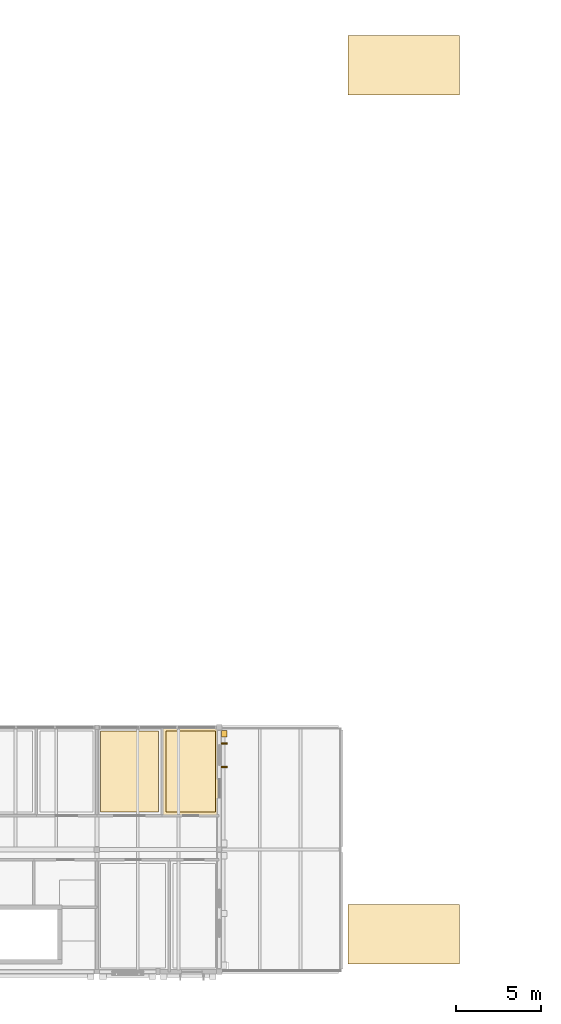
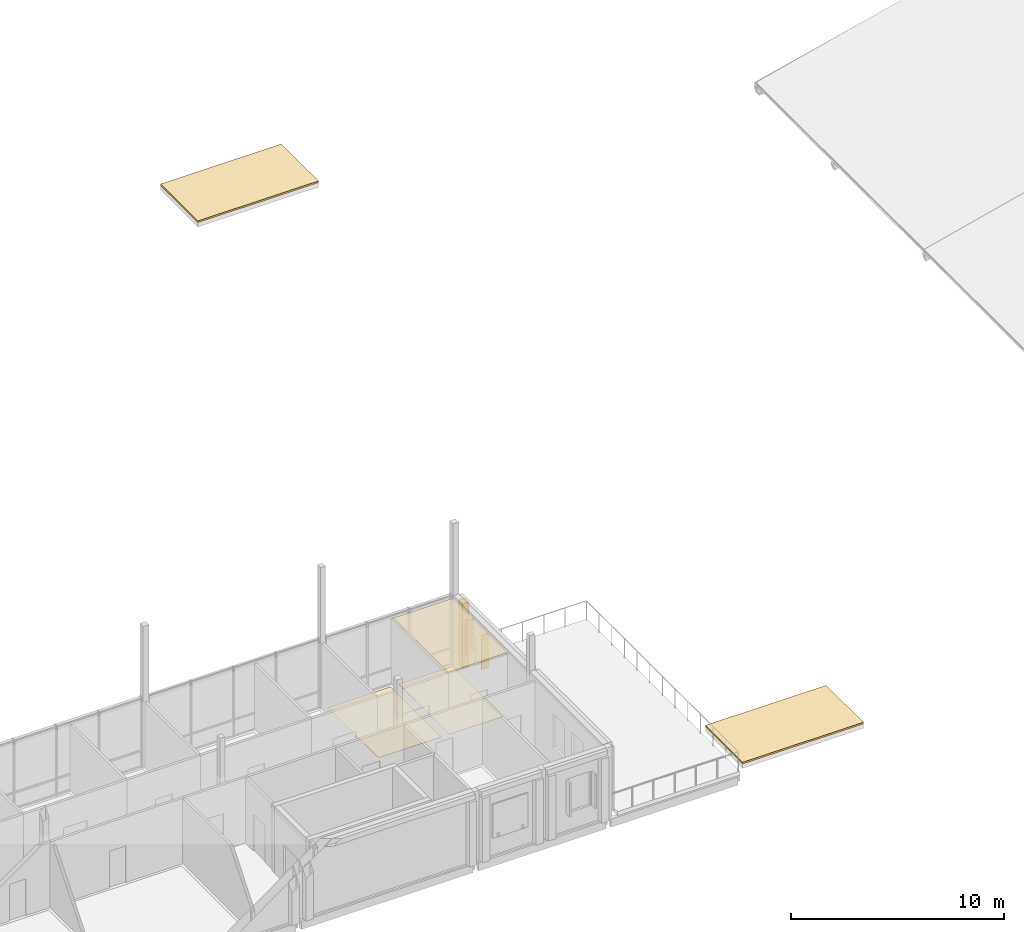
# One storey, part 56 of 57: 6 coverings, 2 shading devices.
"""IFC4 building model written with IfcOpenShell, lengths in metres."""

from ifc_helpers import new_model, si_unit, direction, frame, origin, origin_2d, place, context, subcontext, project, spatial, polyline, rectangle, outline, extrude, material, layer, layer_set, type_object, element, save


model = new_model("IFC4")

# Units and contexts
model_context = context("Model", 3, precision=1e-05, world=origin(), true_north=direction((0.0, 1.0)))
body_context = subcontext(model_context, "Body", "Model", "MODEL_VIEW")
ifc_project = project(units=[si_unit("LENGTHUNIT", "METRE"), si_unit("AREAUNIT", "SQUARE_METRE"), si_unit("VOLUMEUNIT", "CUBIC_METRE"), si_unit("PLANEANGLEUNIT", "RADIAN"), si_unit("MASSUNIT", "GRAM", prefix="KILO")], contexts=[model_context])

# Site, building, storey
site_placement = place(None, origin())
site = spatial("IfcSite", under=ifc_project, at=site_placement, CompositionType="ELEMENT")
building_placement = place(site_placement, origin())
building = spatial("IfcBuilding", under=site, at=building_placement, Name="Hawrajan Terrace Health Centre", CompositionType="ELEMENT")
storey_placement = place(building_placement, frame((0.0, 0.0, 13.199951171875)))
storey = spatial("IfcBuildingStorey", under=building, at=storey_placement, Name="L03", CompositionType="ELEMENT", Elevation=13.199951171875)

# Coverings
ifc_material_1 = material(Name="Precast concrete C40/50", Category="concrete")
ifc_layer_1 = layer(ifc_material_1, 0.340087890625)
ifc_layer_set_1 = layer_set([ifc_layer_1], Name="Precast concrete C40/50")
covering_type_1 = type_object("IfcCoveringType", Name="ArtDecoStonePilaster", PredefinedType="CLADDING", material=ifc_layer_set_1)
covering_1_placement = place(storey_placement, frame((108.094970703125, 18.219970703125, 0.0), z_axis=(0.0, 0.0, 1.0), x_axis=(0.0, 1.0, 0.0)))
element("IfcCovering", 1, at=covering_1_placement, inside=storey, type_object=covering_type_1, Name="Art Deco fluted limestone pilaster FPIL-L03-0378", PredefinedType="CLADDING", context=body_context, shape_type="SweptSolid", body=[
    extrude(rectangle(XDim=0.39990234375, YDim=0.340087890625, at=origin_2d()), origin(), (0.0, 0.0, 1.0), 3.679931640625),
])
ifc_material_2 = material(Name="Hygienic mineral-fibre acoustic tile ceiling")
ifc_layer_2 = layer(ifc_material_2, 0.02490234375)
ifc_layer_set_2 = layer_set([ifc_layer_2], Name="Hygienic mineral-fibre acoustic tile ceiling")
covering_type_2 = type_object("IfcCoveringType", Name="ClinicalAcousticCeiling_25", PredefinedType="CEILING", material=ifc_layer_set_2)
covering_2_placement = place(storey_placement, frame((0.0, 0.0, 3.72509765625)))
element("IfcCovering", 2, at=covering_2_placement, inside=storey, type_object=covering_type_2, Name="Suspended ceiling L03-075", PredefinedType="CEILING", context=body_context, shape_type="SweptSolid", body=[
    extrude(outline(polyline([(104.46484375, 18.580078125), (107.780029296875, 18.580078125), (107.780029296875, 13.419921875), (104.46484375, 13.419921875), (104.46484375, 18.580078125)])), origin(), (0.0, 0.0, 1.0), 0.02490234375),
])
ifc_material_3 = material(Name="Seamless medical-grade cushioned vinyl flooring")
ifc_layer_3 = layer(ifc_material_3, 0.011962890625)
ifc_layer_set_3 = layer_set([ifc_layer_3], Name="Seamless medical-grade cushioned vinyl flooring")
covering_type_3 = type_object("IfcCoveringType", Name="ClinicalVinylFlooring_12", PredefinedType="FLOORING", material=ifc_layer_set_3)
covering_3_placement = place(storey_placement, origin())
element("IfcCovering", 3, at=covering_3_placement, inside=storey, type_object=covering_type_3, Name="Floor finish L03-074", PredefinedType="FLOORING", context=body_context, shape_type="SweptSolid", body=[
    extrude(outline(polyline([(100.820068359375, 18.3798828125), (104.224853515625, 18.3798828125), (104.224853515625, 13.6201171875), (100.820068359375, 13.6201171875), (100.820068359375, 18.3798828125)])), origin(), (0.0, 0.0, 1.0), 0.011962890625),
])
covering_4_placement = place(storey_placement, origin())
element("IfcCovering", 4, at=covering_4_placement, inside=storey, type_object=covering_type_3, Name="Floor finish L03-075", PredefinedType="FLOORING", context=body_context, shape_type="SweptSolid", body=[
    extrude(outline(polyline([(104.664794921875, 18.3798828125), (107.580078125, 18.3798828125), (107.580078125, 13.6201171875), (104.664794921875, 13.6201171875), (104.664794921875, 18.3798828125)])), origin(), (0.0, 0.0, 1.0), 0.011962890625),
])
ifc_material_4 = material(Name="Reflective TPO cool-roof membrane and mineral wool")
ifc_layer_4 = layer(ifc_material_4, 0.094970703125)
ifc_layer_set_4 = layer_set([ifc_layer_4], Name="Reflective TPO cool-roof membrane and mineral wool")
covering_type_4 = type_object("IfcCoveringType", Name="CoolMembrane_Roofing", PredefinedType="ROOFING", material=ifc_layer_set_4)
covering_5_placement = place(storey_placement, origin())
element("IfcCovering", 5, at=covering_5_placement, inside=storey, type_object=covering_type_4, Name="Reflective cool-roof membrane RF-S6-CAP", PredefinedType="ROOFING", context=body_context, shape_type="SweptSolid", body=[
    extrude(outline(polyline([(115.39990234375, 4.64990234375), (121.949951171875, 4.64990234375), (121.949951171875, 8.14990234375), (115.39990234375, 8.14990234375), (115.39990234375, 4.64990234375)])), origin(), (0.0, 0.0, 1.0), 0.094970703125),
])
covering_6_placement = place(storey_placement, origin())
element("IfcCovering", 6, at=covering_6_placement, inside=storey, type_object=covering_type_4, Name="Reflective cool-roof membrane RF-S7-CAP", PredefinedType="ROOFING", context=body_context, shape_type="SweptSolid", body=[
    extrude(outline(polyline([(115.39990234375, 55.85009765625), (121.949951171875, 55.85009765625), (121.949951171875, 59.35009765625), (115.39990234375, 59.35009765625), (115.39990234375, 55.85009765625)])), origin(), (0.0, 0.0, 1.0), 0.094970703125),
])

# Shading devices
ifc_material_5 = material(Name="Anodized bronze mashrabiya vertical solar fin")
ifc_layer_5 = layer(ifc_material_5, 0.080078125)
ifc_layer_set_5 = layer_set([ifc_layer_5], Name="Anodized bronze mashrabiya vertical solar fin")
shading_device_type = type_object("IfcShadingDeviceType", Name="MashrabiyaVerticalFin", PredefinedType="USERDEFINED", material=ifc_layer_set_5)
for number, where, z_axis, x_axis, name in (
    (7, (108.10498046875, 16.27001953125, 1.0), (0.0, 0.0, 1.0), (0.0, 1.0, 0.0), "Bronze mashrabiya solar fin FIN-L03-0242"),
    (8, (108.10498046875, 17.64990234375, 1.0), (0.0, 0.0, 1.0), (0.0, 1.0, 0.0), "Bronze mashrabiya solar fin FIN-L03-0243"),
):
    element("IfcShadingDevice", number, at=place(storey_placement, frame(where, z_axis=z_axis, x_axis=x_axis)), inside=storey, type_object=shading_device_type, Name=name, ObjectType="SOLAR_FIN", PredefinedType="USERDEFINED", context=body_context, shape_type="SweptSolid", body=[
        extrude(rectangle(XDim=0.080078125, YDim=0.360107421875, at=origin_2d()), origin(), (0.0, 0.0, 1.0), 1.949951171875),
    ])

save(model, "model.ifc")
